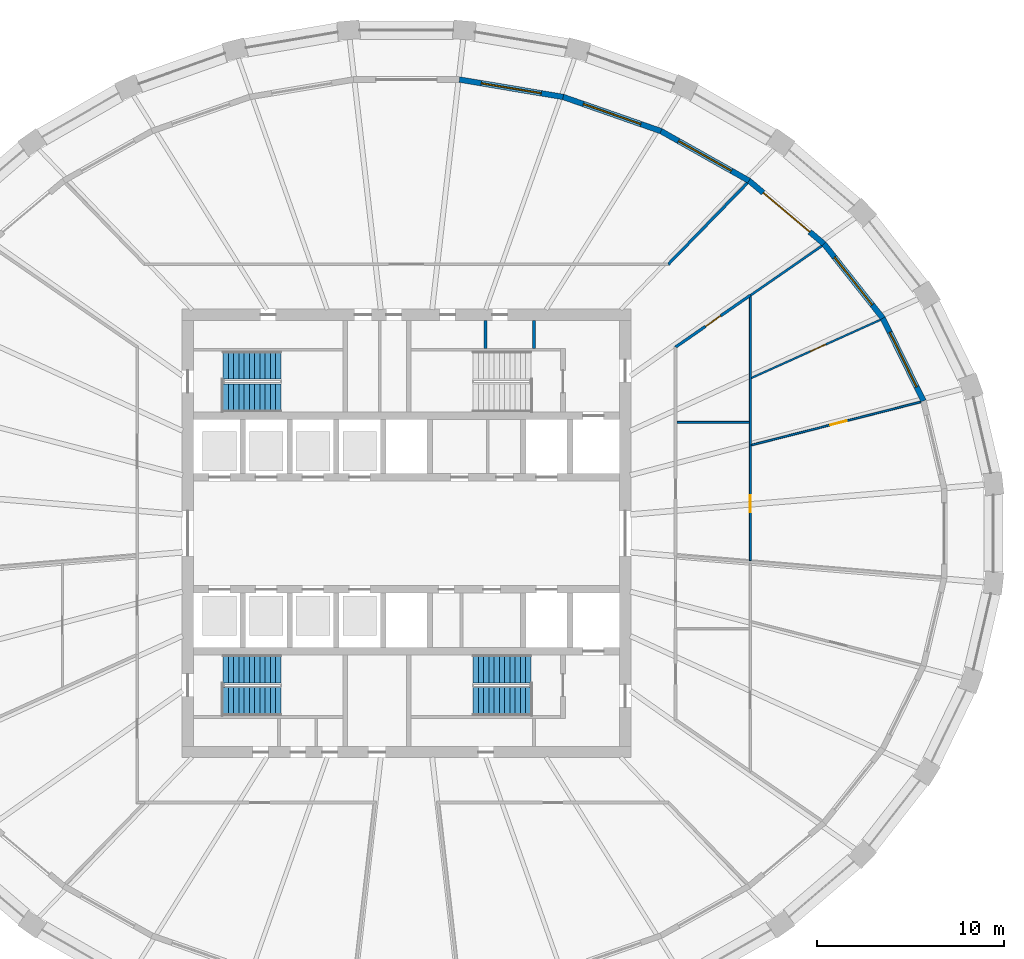
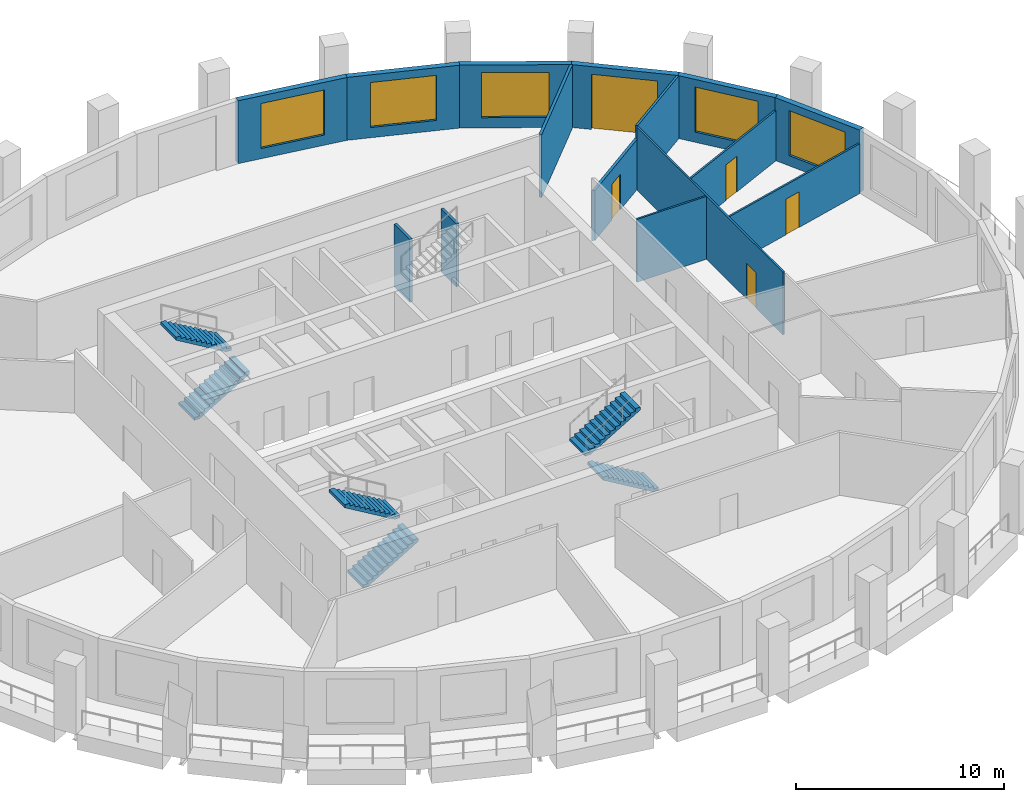
# One storey, part 7 of 11: 15 walls, 6 stair flights, 5 doors, 5 windows, 10 openings, 3 elements without a shape of their own.
"""IFC4 building model written with IfcOpenShell, lengths in metres."""

from ifc_helpers import new_model, si_unit, direction, frame, frame_2d, origin, place, context, subcontext, project, spatial, polyline, rectangle, outline, extrude, material, layer, layer_set, type_object, element, fill, aggregate, save


model = new_model("IFC4")

# Units and contexts
model_context = context("Model", 3, precision=1e-05, world=origin(), true_north=direction((0.0, 1.0)))
body_context = subcontext(model_context, "Body", "Model", "MODEL_VIEW")
ifc_project = project(units=[si_unit("LENGTHUNIT", "METRE"), si_unit("AREAUNIT", "SQUARE_METRE"), si_unit("VOLUMEUNIT", "CUBIC_METRE"), si_unit("PLANEANGLEUNIT", "RADIAN"), si_unit("MASSUNIT", "GRAM", prefix="KILO")], contexts=[model_context])

# Site, building, storey
site_placement = place(None, origin())
site = spatial("IfcSite", under=ifc_project, at=site_placement, CompositionType="ELEMENT")
building_placement = place(site_placement, origin())
building = spatial("IfcBuilding", under=site, at=building_placement, Name="Halqa Exchange Tower", CompositionType="ELEMENT")
storey_placement = place(building_placement, frame((0.0, 0.0, 226.89990234375)))
storey = spatial("IfcBuildingStorey", under=building, at=storey_placement, Name="L52", CompositionType="ELEMENT", Elevation=226.89990234375)

# Wall
ifc_material_1 = material(Name="Fire-rated gypsum board")
ifc_layer_1 = layer(ifc_material_1, 0.14990234375)
ifc_layer_set_1 = layer_set([ifc_layer_1], Name="Fire-rated gypsum board")
wall_type_1 = type_object("IfcWallType", Name="Fire partition EI 60 150", PredefinedType="PARTITIONING", material=ifc_layer_set_1)
wall_1_placement = place(storey_placement, frame((13.98779296875, 14.377197265625, 0.0), z_axis=(0.0, 0.0, 1.0), x_axis=(0.697616683155, 0.716471188105, 0.0)))
element("IfcWall", 1, at=wall_1_placement, inside=storey, type_object=wall_type_1, Name="L52-PWL-015", PredefinedType="PARTITIONING", context=body_context, shape_type="SweptSolid", body=[
    extrude(outline(polyline([(6.098876953125, -0.074951171875), (6.098876953125, -0.07275390625), (6.09375, -0.002197265625), (6.073486328125, 0.074951171875), (4.57080078125, 0.074951171875), (3.068359375, 0.074951171875), (1.56591796875, 0.074951171875), (0.0634765625, 0.074951171875), (0.03173828125, 0.0), (0.000244140625, -0.074951171875), (1.52490234375, -0.074951171875), (3.049560546875, -0.074951171875), (4.57421875, -0.074951171875), (6.098876953125, -0.074951171875)])), origin(), (0.0, 0.0, 1.0), 3.7001953125),
])

# Wall, opening, door
wall_2_placement = place(storey_placement, frame((14.36767578125, 9.947509765625, 0.0), z_axis=(0.0, 0.0, 1.0), x_axis=(0.822102584422, 0.56933938972, 0.0)))
wall_2 = element("IfcWall", 2, at=wall_2_placement, inside=storey, type_object=wall_type_1, Name="L52-PWL-021", PredefinedType="PARTITIONING", context=body_context, shape_type="SweptSolid", body=[
    extrude(outline(polyline([(4.90478515625, 0.074951171875), (3.27001953125, 0.074951171875), (1.635009765625, 0.074951171875), (0.000244140625, 0.074951171875), (0.07861328125, -0.074951171875), (1.6875, -0.074951171875), (3.296142578125, -0.074951171875), (4.90478515625, -0.074951171875), (4.90478515625, 0.074951171875)])), origin(), (0.0, 0.0, 1.0), 2.947021484375),
])
opening_1_placement = place(wall_2_placement, frame((1.971923828125, 0.0, 0.0)))
opening_1 = element("IfcOpeningElement", 3, at=opening_1_placement, cuts=wall_2, Name="Opening 16-09", PredefinedType="OPENING", context=body_context, shape_type="SweptSolid", body=[
    extrude(rectangle(XDim=1.0, YDim=2.10009765625, at=frame_2d((0.5, 1.050048828125))), frame((0.0, 0.0869140625, 0.0), z_axis=(0.0, -1.0, 0.0), x_axis=(1.0, 0.0, 0.0)), (0.0, 0.0, 1.0), 0.173828125),
])
ifc_material_2 = material(Name="Steel fire door leaf", Category="steel")
door_type_1 = type_object("IfcDoorType", Name="Fire door FD30S 1000 x 2100", OperationType="SINGLE_SWING_LEFT", PredefinedType="DOOR", material=ifc_material_2)
door_1_placement = place(opening_1_placement, frame((1.0, 0.0, 0.0), z_axis=(0.0, 0.0, 1.0), x_axis=(-1.0, 0.0, 0.0)))
door_1 = element("IfcDoor", 4, at=door_1_placement, inside=storey, type_object=door_type_1, Name="L52-IDR-009", OperationType="SINGLE_SWING_LEFT", OverallHeight=2.10009765625, OverallWidth=1.0, PredefinedType="DOOR", context=body_context, shape_type="SweptSolid", body=[
    extrude(rectangle(XDim=1.0, YDim=2.10009765625, at=frame_2d((0.5, 1.050048828125))), frame((0.0, 0.02490234375, 0.0), z_axis=(0.0, -1.0, 0.0), x_axis=(1.0, 0.0, 0.0)), (0.0, 0.0, 1.0), 0.050048828125),
])
fill(opening_1, door_1)

# Wall
ifc_material_3 = material(Name="Fire-rated glazing", Category="glass")
ifc_layer_2 = layer(ifc_material_3, 0.1201171875)
ifc_layer_set_2 = layer_set([ifc_layer_2], Name="Fire-rated glazing")
wall_type_2 = type_object("IfcWallType", Name="Glazed fire partition EI 60 120", PredefinedType="PARTITIONING", material=ifc_layer_set_2)
wall_3_placement = place(storey_placement, frame((18.40478515625, 12.7333984375, 0.0), z_axis=(0.0, 0.0, 1.0), x_axis=(0.821978662859, 0.569518285751, 0.0)))
element("IfcWall", 5, at=wall_3_placement, inside=storey, type_object=wall_type_2, Name="L52-PWL-031", PredefinedType="PARTITIONING", context=body_context, shape_type="SweptSolid", body=[
    extrude(outline(polyline([(4.65234375, -0.06005859375), (4.65234375, -0.0546875), (4.64892578125, 0.0), (4.632568359375, 0.06005859375), (3.08837890625, 0.06005859375), (1.544189453125, 0.06005859375), (0.0, 0.06005859375), (0.0, -0.051025390625), (0.01318359375, -0.06005859375), (1.5595703125, -0.06005859375), (3.10595703125, -0.06005859375), (4.65234375, -0.06005859375)])), origin(), (0.0, 0.0, 1.0), 3.7001953125),
])

# Wall, opening, door
ifc_material_4 = material(Name="Gypsum board")
ifc_layer_3 = layer(ifc_material_4, 0.10009765625)
ifc_layer_set_3 = layer_set([ifc_layer_3], Name="Gypsum board")
wall_type_3 = type_object("IfcWallType", Name="Partition 100 gypsum", PredefinedType="PARTITIONING", material=ifc_layer_set_3)
wall_4_placement = place(storey_placement, frame((18.39990234375, -1.45947265625, 0.0), z_axis=(0.0, 0.0, 1.0), x_axis=(0.0, 1.0, 0.0)))
wall_4 = element("IfcWall", 6, at=wall_4_placement, inside=storey, type_object=wall_type_3, Name="L52-PWL-027", PredefinedType="PARTITIONING", context=body_context, shape_type="SweptSolid", body=[
    extrude(outline(polyline([(0.0, -0.050048828125), (1.556640625, -0.050048828125), (3.11328125, -0.050048828125), (4.669921875, -0.050048828125), (6.2265625, -0.050048828125), (6.2333984375, -0.04833984375), (6.23388671875, -0.050048828125), (8.02734375, -0.050048828125), (9.821044921875, -0.050048828125), (9.825927734375, -0.0478515625), (9.826904296875, -0.050048828125), (11.26806640625, -0.050048828125), (12.70947265625, -0.050048828125), (14.15087890625, -0.050048828125), (14.15087890625, -0.049560546875), (14.14453125, -0.040283203125), (14.15087890625, -0.035888671875), (14.15087890625, -0.03369140625), (14.1376953125, -0.042724609375), (14.073486328125, 0.050048828125), (12.41748046875, 0.050048828125), (10.761474609375, 0.050048828125), (9.10546875, 0.050048828125), (7.449462890625, 0.050048828125), (7.449462890625, 0.0498046875), (7.349365234375, 0.0498046875), (7.349365234375, 0.050048828125), (5.51416015625, 0.050048828125), (3.6787109375, 0.050048828125), (1.843505859375, 0.050048828125), (0.008056640625, 0.050048828125), (0.0, -0.047607421875), (0.0, -0.050048828125)])), origin(), (0.0, 0.0, 1.0), 3.7001953125),
])
opening_2_placement = place(wall_4_placement, frame((2.599609375, 0.0, 0.0)))
opening_2 = element("IfcOpeningElement", 7, at=opening_2_placement, cuts=wall_4, Name="Opening 16-14", PredefinedType="OPENING", context=body_context, shape_type="SweptSolid", body=[
    extrude(rectangle(XDim=0.89990234375, YDim=2.10009765625, at=frame_2d((0.449951171875, 1.050048828125))), frame((0.0, 0.06201171875, 0.0), z_axis=(0.0, -1.0, 0.0), x_axis=(1.0, 0.0, 0.0)), (0.0, 0.0, 1.0), 0.1240234375),
])
ifc_material_5 = material(Name="Timber door leaf", Category="wood")
door_type_2 = type_object("IfcDoorType", Name="Door 900 x 2100", OperationType="SINGLE_SWING_LEFT", PredefinedType="DOOR", material=ifc_material_5)
door_2_placement = place(opening_2_placement, origin())
door_2 = element("IfcDoor", 8, at=door_2_placement, inside=storey, type_object=door_type_2, Name="L52-IDR-014", OperationType="SINGLE_SWING_RIGHT", OverallHeight=2.10009765625, OverallWidth=0.89990234375, PredefinedType="DOOR", context=body_context, shape_type="SweptSolid", body=[
    extrude(rectangle(XDim=0.89990234375, YDim=2.10009765625, at=frame_2d((0.449951171875, 1.050048828125))), frame((0.0, 0.02490234375, 0.0), z_axis=(0.0, -1.0, 0.0), x_axis=(1.0, 0.0, 0.0)), (0.0, 0.0, 1.0), 0.050048828125),
])
fill(opening_2, door_2)

wall_5_placement = place(storey_placement, frame((18.437744140625, 4.719482421875, 0.0), z_axis=(0.0, 0.0, 1.0), x_axis=(0.968975503795, 0.247156778269, 0.0)))
wall_5 = element("IfcWall", 9, at=wall_5_placement, inside=storey, type_object=wall_type_3, Name="L52-PWL-028", PredefinedType="PARTITIONING", context=body_context, shape_type="SweptSolid", body=[
    extrude(outline(polyline([(9.3671875, -0.050048828125), (9.3671875, 0.008056640625), (9.3583984375, 0.050048828125), (7.49169921875, 0.050048828125), (5.625244140625, 0.050048828125), (3.758544921875, 0.050048828125), (1.89208984375, 0.050048828125), (0.025390625, 0.050048828125), (0.0, -0.049560546875), (0.0, -0.050048828125), (1.87353515625, -0.050048828125), (3.746826171875, -0.050048828125), (5.620361328125, -0.050048828125), (7.49365234375, -0.050048828125), (9.3671875, -0.050048828125)])), origin(), (0.0, 0.0, 1.0), 2.93017578125),
])
opening_3_placement = place(wall_5_placement, frame((4.36669921875, 0.0, 0.0)))
opening_3 = element("IfcOpeningElement", 10, at=opening_3_placement, cuts=wall_5, Name="Opening 16-15", PredefinedType="OPENING", context=body_context, shape_type="SweptSolid", body=[
    extrude(rectangle(XDim=0.89990234375, YDim=2.10009765625, at=frame_2d((0.449951171875, 1.050048828125))), frame((0.0, 0.06201171875, 0.0), z_axis=(0.0, -1.0, 0.0), x_axis=(1.0, 0.0, 0.0)), (0.0, 0.0, 1.0), 0.1240234375),
])
door_3_placement = place(opening_3_placement, origin())
door_3 = element("IfcDoor", 11, at=door_3_placement, inside=storey, type_object=door_type_2, Name="L52-IDR-015", OperationType="SINGLE_SWING_RIGHT", OverallHeight=2.10009765625, OverallWidth=0.89990234375, PredefinedType="DOOR", context=body_context, shape_type="SweptSolid", body=[
    extrude(rectangle(XDim=0.89990234375, YDim=2.10009765625, at=frame_2d((0.449951171875, 1.050048828125))), frame((0.0, 0.02490234375, 0.0), z_axis=(0.0, -1.0, 0.0), x_axis=(1.0, 0.0, 0.0)), (0.0, 0.0, 1.0), 0.050048828125),
])
fill(opening_3, door_3)

# Wall
wall_6_placement = place(storey_placement, frame((18.35009765625, 5.93994140625, 0.0), z_axis=(0.0, 0.0, 1.0), x_axis=(-1.0, 0.0, 0.0)))
element("IfcWall", 12, at=wall_6_placement, inside=storey, type_object=wall_type_3, Name="L52-PWL-029", PredefinedType="PARTITIONING", context=body_context, shape_type="SweptSolid", body=[
    extrude(rectangle(XDim=3.875, YDim=0.10009765625, at=frame_2d((1.9375, 0.0))), origin(), (0.0, 0.0, 1.0), 3.7001953125),
])

# Wall, opening, door
wall_7_placement = place(storey_placement, frame((18.4296875, 8.303466796875, 0.0), z_axis=(0.0, 0.0, 1.0), x_axis=(0.911623805038, 0.411025592985, 0.0)))
wall_7 = element("IfcWall", 13, at=wall_7_placement, inside=storey, type_object=wall_type_3, Name="L52-PWL-030", PredefinedType="PARTITIONING", context=body_context, shape_type="SweptSolid", body=[
    extrude(outline(polyline([(7.601806640625, -0.050048828125), (7.601806640625, -0.045166015625), (7.600341796875, 0.001953125), (7.588134765625, 0.050048828125), (5.702392578125, 0.050048828125), (3.81640625, 0.050048828125), (1.9306640625, 0.050048828125), (0.044921875, 0.050048828125), (0.0, -0.04931640625), (0.0, -0.050048828125), (1.900390625, -0.050048828125), (3.80078125, -0.050048828125), (5.701416015625, -0.050048828125), (7.601806640625, -0.050048828125)])), origin(), (0.0, 0.0, 1.0), 2.947021484375),
])
opening_4_placement = place(wall_7_placement, frame((3.48291015625, 0.0, 0.0)))
opening_4 = element("IfcOpeningElement", 14, at=opening_4_placement, cuts=wall_7, Name="Opening 16-16", PredefinedType="OPENING", context=body_context, shape_type="SweptSolid", body=[
    extrude(rectangle(XDim=0.89990234375, YDim=2.10009765625, at=frame_2d((0.449951171875, 1.050048828125))), frame((0.0, 0.06201171875, 0.0), z_axis=(0.0, -1.0, 0.0), x_axis=(1.0, 0.0, 0.0)), (0.0, 0.0, 1.0), 0.1240234375),
])
door_4_placement = place(opening_4_placement, origin())
door_4 = element("IfcDoor", 15, at=door_4_placement, inside=storey, type_object=door_type_2, Name="L52-IDR-016", OperationType="SINGLE_SWING_RIGHT", OverallHeight=2.10009765625, OverallWidth=0.89990234375, PredefinedType="DOOR", context=body_context, shape_type="SweptSolid", body=[
    extrude(rectangle(XDim=0.89990234375, YDim=2.10009765625, at=frame_2d((0.449951171875, 1.050048828125))), frame((0.0, 0.02490234375, 0.0), z_axis=(0.0, -1.0, 0.0), x_axis=(1.0, 0.0, 0.0)), (0.0, 0.0, 1.0), 0.050048828125),
])
fill(opening_4, door_4)

# Walls
ifc_layer_4 = layer(ifc_material_4, 0.14990234375)
ifc_layer_set_4 = layer_set([ifc_layer_4], Name="Gypsum board")
wall_type_4 = type_object("IfcWallType", Name="Penthouse riser wall 150 gypsum", PredefinedType="PARTITIONING", material=ifc_layer_set_4)
for number, where, z_axis, x_axis, name in (
    (16, (4.22509765625, 9.89990234375, 0.0), (0.0, 0.0, 1.0), (0.0, 1.0, 0.0), "Partition E4.225 N"),
    (17, (6.824951171875, 9.89990234375, 0.0), (0.0, 0.0, 1.0), (0.0, 1.0, 0.0), "Firefighting lobby west wall N"),
):
    element("IfcWall", number, at=place(storey_placement, frame(where, z_axis=z_axis, x_axis=x_axis)), inside=storey, type_object=wall_type_4, Name=name, PredefinedType="PARTITIONING", context=body_context, shape_type="SweptSolid", body=[
        extrude(rectangle(XDim=1.5, YDim=0.14990234375, at=frame_2d((0.75, 0.0))), origin(), (0.0, 0.0, 1.0), 3.7001953125),
    ])

# Wall, opening, window
ifc_material_6 = material(Name="Limestone cladding", Category="masonry")
ifc_layer_5 = layer(ifc_material_6, 0.0400390625)
ifc_material_7 = material(Name="Ventilated cavity")
ifc_layer_6 = layer(ifc_material_7, 0.030029296875, ventilated=True)
ifc_material_8 = material(Name="Mineral wool insulation")
ifc_layer_7 = layer(ifc_material_8, 0.10009765625)
ifc_material_9 = material(Name="Concrete C30/37", Category="concrete")
ifc_layer_8 = layer(ifc_material_9, 0.10009765625)
ifc_material_10 = material(Name="Internal plaster")
ifc_layer_9 = layer(ifc_material_10, 0.030029296875)
ifc_layer_set_5 = layer_set([ifc_layer_5, ifc_layer_6, ifc_layer_7, ifc_layer_8, ifc_layer_9], Name="Stone-faced insulated wall 300")
wall_type_5 = type_object("IfcWallType", Name="Stone-faced insulated wall 300", PredefinedType="STANDARD", material=ifc_layer_set_5)
wall_8_placement = place(storey_placement, frame((27.656494140625, 7.0888671875, 0.0), z_axis=(0.0, 0.0, 1.0), x_axis=(-0.440857641837, 0.897577038272, 0.0)))
wall_8 = element("IfcWall", 18, at=wall_8_placement, inside=storey, type_object=wall_type_5, Name="Glass-line wall 2", PredefinedType="STANDARD", context=body_context, shape_type="SweptSolid", body=[
    extrude(outline(polyline([(-0.016845703125, -0.14990234375), (4.94140625, -0.14990234375), (4.9091796875, 0.14990234375), (0.016845703125, 0.14990234375), (-0.016845703125, -0.14990234375)])), origin(), (0.0, 0.0, 1.0), 3.7001953125),
])
opening_5_placement = place(wall_8_placement, frame((0.837646484375, 0.0, 0.60009765625)))
opening_5 = element("IfcOpeningElement", 19, at=opening_5_placement, cuts=wall_8, Name="Opening W-F3-02", PredefinedType="OPENING", context=body_context, shape_type="SweptSolid", body=[
    extrude(rectangle(XDim=3.25, YDim=2.64990234375, at=frame_2d((1.625, 1.324951171875))), frame((0.0, 0.162109375, 0.0), z_axis=(0.0, -1.0, 0.0), x_axis=(1.0, 0.0, 0.0)), (0.0, 0.0, 1.0), 0.323974609375),
])
ifc_material_11 = material(Name="Clear low-emissivity glass in aluminium frame", Category="aluminium")
window_type = type_object("IfcWindowType", Name="Fixed clear glazed window 3250 x 2650", PartitioningType="TRIPLE_PANEL_VERTICAL", PredefinedType="WINDOW", material=ifc_material_11)
window_1_placement = place(opening_5_placement, origin())
window_1 = element("IfcWindow", 20, at=window_1_placement, inside=storey, type_object=window_type, Name="Window 3", OverallHeight=2.64990234375, OverallWidth=3.25, PartitioningType="TRIPLE_PANEL_VERTICAL", PredefinedType="WINDOW", context=body_context, shape_type="SweptSolid", body=[
    extrude(rectangle(XDim=3.25, YDim=2.64990234375, at=frame_2d((1.625, 1.324951171875))), frame((0.0, 0.030029296875, 0.0), z_axis=(0.0, -1.0, 0.0), x_axis=(1.0, 0.0, 0.0)), (0.0, 0.0, 1.0), 0.06005859375),
])
fill(opening_5, window_1)

wall_9_placement = place(storey_placement, frame((25.485107421875, 11.509765625, 0.0), z_axis=(0.0, 0.0, 1.0), x_axis=(-0.621084984443, 0.783743224596, 0.0)))
wall_9 = element("IfcWall", 21, at=wall_9_placement, inside=storey, type_object=wall_type_5, Name="Glass-line wall 3", PredefinedType="STANDARD", context=body_context, shape_type="SweptSolid", body=[
    extrude(outline(polyline([(-0.01611328125, -0.14990234375), (5.08837890625, -0.14990234375), (5.05810546875, 0.14990234375), (0.01611328125, 0.14990234375), (-0.01611328125, -0.14990234375)])), origin(), (0.0, 0.0, 1.0), 3.7001953125),
])
opening_6_placement = place(wall_9_placement, frame((0.91162109375, 0.0, 0.60009765625)))
opening_6 = element("IfcOpeningElement", 22, at=opening_6_placement, cuts=wall_9, Name="Opening W-F3-03", PredefinedType="OPENING", context=body_context, shape_type="SweptSolid", body=[
    extrude(rectangle(XDim=3.25, YDim=2.64990234375, at=frame_2d((1.625, 1.324951171875))), frame((0.0, 0.162109375, 0.0), z_axis=(0.0, -1.0, 0.0), x_axis=(1.0, 0.0, 0.0)), (0.0, 0.0, 1.0), 0.323974609375),
])
window_2_placement = place(opening_6_placement, origin())
window_2 = element("IfcWindow", 23, at=window_2_placement, inside=storey, type_object=window_type, Name="Window 3", OverallHeight=2.64990234375, OverallWidth=3.25, PartitioningType="TRIPLE_PANEL_VERTICAL", PredefinedType="WINDOW", context=body_context, shape_type="SweptSolid", body=[
    extrude(rectangle(XDim=3.25, YDim=2.64990234375, at=frame_2d((1.625, 1.324951171875))), frame((0.0, 0.030029296875, 0.0), z_axis=(0.0, -1.0, 0.0), x_axis=(1.0, 0.0, 0.0)), (0.0, 0.0, 1.0), 0.06005859375),
])
fill(opening_6, window_2)

# Wall, opening, door
wall_10_placement = place(storey_placement, frame((22.334228515625, 15.48583984375, 0.0), z_axis=(0.0, 0.0, 1.0), x_axis=(-0.764475071601, 0.644653290459, 0.0)))
wall_10 = element("IfcWall", 24, at=wall_10_placement, inside=storey, type_object=wall_type_5, Name="Glass-line wall 4", PredefinedType="STANDARD", context=body_context, shape_type="SweptSolid", body=[
    extrude(outline(polyline([(-0.01513671875, -0.14990234375), (5.2568359375, -0.14990234375), (5.228515625, 0.14990234375), (0.01513671875, 0.14990234375), (-0.01513671875, -0.14990234375)])), origin(), (0.0, 0.0, 1.0), 3.7001953125),
])
opening_7_placement = place(wall_10_placement, frame((0.996337890625, 0.0, 0.0)))
opening_7 = element("IfcOpeningElement", 25, at=opening_7_placement, cuts=wall_10, Name="Opening LG-F3-01", PredefinedType="OPENING", context=body_context, shape_type="SweptSolid", body=[
    extrude(rectangle(XDim=3.25, YDim=3.25, at=frame_2d((1.625, 1.625))), frame((0.0, 0.162109375, 0.0), z_axis=(0.0, -1.0, 0.0), x_axis=(1.0, 0.0, 0.0)), (0.0, 0.0, 1.0), 0.323974609375),
])
door_type_3 = type_object("IfcDoorType", Name="Glazed sliding loggia door 3250 x 3250", OperationType="DOUBLE_DOOR_SLIDING", PredefinedType="DOOR", material=ifc_material_11)
door_5_placement = place(opening_7_placement, origin())
door_5 = element("IfcDoor", 26, at=door_5_placement, inside=storey, type_object=door_type_3, Name="Loggia door 1", OperationType="DOUBLE_DOOR_SLIDING", OverallHeight=3.25, OverallWidth=3.25, PredefinedType="DOOR", context=body_context, shape_type="SweptSolid", body=[
    extrude(rectangle(XDim=3.25, YDim=3.25, at=frame_2d((1.625, 1.625))), frame((0.0, 0.02490234375, 0.0), z_axis=(0.0, -1.0, 0.0), x_axis=(1.0, 0.0, 0.0)), (0.0, 0.0, 1.0), 0.050048828125),
])
fill(opening_7, door_5)

# Wall, opening, window
wall_11_placement = place(storey_placement, frame((18.326416015625, 18.865478515625, 0.0), z_axis=(0.0, 0.0, 1.0), x_axis=(-0.871225596594, 0.490882837181, 0.0)))
wall_11 = element("IfcWall", 27, at=wall_11_placement, inside=storey, type_object=wall_type_5, Name="Glass-line wall 5", PredefinedType="STANDARD", context=body_context, shape_type="SweptSolid", body=[
    extrude(outline(polyline([(-0.01416015625, -0.14990234375), (5.420166015625, -0.14990234375), (5.393310546875, 0.14990234375), (0.01416015625, 0.14990234375), (-0.01416015625, -0.14990234375)])), origin(), (0.0, 0.0, 1.0), 3.7001953125),
])
opening_8_placement = place(wall_11_placement, frame((1.078369140625, 0.0, 0.60009765625)))
opening_8 = element("IfcOpeningElement", 28, at=opening_8_placement, cuts=wall_11, Name="Opening W-F3-05", PredefinedType="OPENING", context=body_context, shape_type="SweptSolid", body=[
    extrude(rectangle(XDim=3.25, YDim=2.64990234375, at=frame_2d((1.625, 1.324951171875))), frame((0.0, 0.162109375, 0.0), z_axis=(0.0, -1.0, 0.0), x_axis=(1.0, 0.0, 0.0)), (0.0, 0.0, 1.0), 0.323974609375),
])
window_3_placement = place(opening_8_placement, origin())
window_3 = element("IfcWindow", 29, at=window_3_placement, inside=storey, type_object=window_type, Name="Window 3", OverallHeight=2.64990234375, OverallWidth=3.25, PartitioningType="TRIPLE_PANEL_VERTICAL", PredefinedType="WINDOW", context=body_context, shape_type="SweptSolid", body=[
    extrude(rectangle(XDim=3.25, YDim=2.64990234375, at=frame_2d((1.625, 1.324951171875))), frame((0.0, 0.030029296875, 0.0), z_axis=(0.0, -1.0, 0.0), x_axis=(1.0, 0.0, 0.0)), (0.0, 0.0, 1.0), 0.06005859375),
])
fill(opening_8, window_3)

wall_12_placement = place(storey_placement, frame((13.615966796875, 21.51953125, 0.0), z_axis=(0.0, 0.0, 1.0), x_axis=(-0.944075859918, 0.329728328659, 0.0)))
wall_12 = element("IfcWall", 30, at=wall_12_placement, inside=storey, type_object=wall_type_5, Name="Glass-line wall 6", PredefinedType="STANDARD", context=body_context, shape_type="SweptSolid", body=[
    extrude(outline(polyline([(-0.013427734375, -0.14990234375), (5.554931640625, -0.14990234375), (5.529541015625, 0.14990234375), (0.013427734375, 0.14990234375), (-0.013427734375, -0.14990234375)])), origin(), (0.0, 0.0, 1.0), 3.7001953125),
])
opening_9_placement = place(wall_12_placement, frame((1.14599609375, 0.0, 0.60009765625)))
opening_9 = element("IfcOpeningElement", 31, at=opening_9_placement, cuts=wall_12, Name="Opening W-F3-06", PredefinedType="OPENING", context=body_context, shape_type="SweptSolid", body=[
    extrude(rectangle(XDim=3.25, YDim=2.64990234375, at=frame_2d((1.625, 1.324951171875))), frame((0.0, 0.162109375, 0.0), z_axis=(0.0, -1.0, 0.0), x_axis=(1.0, 0.0, 0.0)), (0.0, 0.0, 1.0), 0.323974609375),
])
window_4_placement = place(opening_9_placement, origin())
window_4 = element("IfcWindow", 32, at=window_4_placement, inside=storey, type_object=window_type, Name="Window 3", OverallHeight=2.64990234375, OverallWidth=3.25, PartitioningType="TRIPLE_PANEL_VERTICAL", PredefinedType="WINDOW", context=body_context, shape_type="SweptSolid", body=[
    extrude(rectangle(XDim=3.25, YDim=2.64990234375, at=frame_2d((1.625, 1.324951171875))), frame((0.0, 0.030029296875, 0.0), z_axis=(0.0, -1.0, 0.0), x_axis=(1.0, 0.0, 0.0)), (0.0, 0.0, 1.0), 0.06005859375),
])
fill(opening_9, window_4)

wall_13_placement = place(storey_placement, frame((8.3837890625, 23.346923828125, 0.0), z_axis=(0.0, 0.0, 1.0), x_axis=(-0.986223472554, 0.165418445715, 0.0)))
wall_13 = element("IfcWall", 33, at=wall_13_placement, inside=storey, type_object=wall_type_5, Name="Glass-line wall 7", PredefinedType="STANDARD", context=body_context, shape_type="SweptSolid", body=[
    extrude(outline(polyline([(-0.0126953125, -0.14990234375), (5.64306640625, -0.14990234375), (5.6181640625, 0.14990234375), (0.0126953125, 0.14990234375), (-0.0126953125, -0.14990234375)])), origin(), (0.0, 0.0, 1.0), 3.7001953125),
])
opening_10_placement = place(wall_13_placement, frame((1.190185546875, 0.0, 0.60009765625)))
opening_10 = element("IfcOpeningElement", 34, at=opening_10_placement, cuts=wall_13, Name="Opening W-F3-07", PredefinedType="OPENING", context=body_context, shape_type="SweptSolid", body=[
    extrude(rectangle(XDim=3.25, YDim=2.64990234375, at=frame_2d((1.625, 1.324951171875))), frame((0.0, 0.162109375, 0.0), z_axis=(0.0, -1.0, 0.0), x_axis=(1.0, 0.0, 0.0)), (0.0, 0.0, 1.0), 0.323974609375),
])
window_5_placement = place(opening_10_placement, origin())
window_5 = element("IfcWindow", 35, at=window_5_placement, inside=storey, type_object=window_type, Name="Window 3", OverallHeight=2.64990234375, OverallWidth=3.25, PartitioningType="TRIPLE_PANEL_VERTICAL", PredefinedType="WINDOW", context=body_context, shape_type="SweptSolid", body=[
    extrude(rectangle(XDim=3.25, YDim=2.64990234375, at=frame_2d((1.625, 1.324951171875))), frame((0.0, 0.030029296875, 0.0), z_axis=(0.0, -1.0, 0.0), x_axis=(1.0, 0.0, 0.0)), (0.0, 0.0, 1.0), 0.06005859375),
])
fill(opening_10, window_5)

# Stair, stair flights
stair_type = type_object("IfcStairType", Name="Exit stair 1500 wide", PredefinedType="HALF_TURN_STAIR", material=ifc_material_9)
stair_1_placement = place(storey_placement, origin())
stair_1 = element("IfcStair", 36, at=stair_1_placement, inside=storey, type_object=stair_type, Name="Exit stair ST1", PredefinedType="HALF_TURN_STAIR")
stair_flight_type = type_object("IfcStairFlightType", Name="Stair flight 1500 wide", PredefinedType="STRAIGHT", material=ifc_material_9)
stair_flight_1_placement = place(storey_placement, frame((-9.800048828125, 7.25, 0.0), z_axis=(0.0, 0.0, 1.0), x_axis=(1.0, 0.0, 0.0)))
stair_flight_1 = element("IfcStairFlight", 37, at=stair_flight_1_placement, type_object=stair_flight_type, Name="ST1 flight 1", NumberOfRisers=12, NumberOfTreads=11, PredefinedType="STRAIGHT", RiserHeight=0.166666667, TreadLength=0.28, context=body_context, shape_type="SweptSolid", body=[
    extrude(outline(polyline([(0.0, 0.0), (0.0, 0.166748046875), (0.280029296875, 0.166748046875), (0.280029296875, 0.333251953125), (0.56005859375, 0.333251953125), (0.56005859375, 0.5), (0.840087890625, 0.5), (0.840087890625, 0.666748046875), (1.1201171875, 0.666748046875), (1.1201171875, 0.833251953125), (1.39990234375, 0.833251953125), (1.39990234375, 1.0), (1.679931640625, 1.0), (1.679931640625, 1.166748046875), (1.9599609375, 1.166748046875), (1.9599609375, 1.333251953125), (2.239990234375, 1.333251953125), (2.239990234375, 1.5), (2.52001953125, 1.5), (2.52001953125, 1.666748046875), (2.800048828125, 1.666748046875), (2.800048828125, 1.833251953125), (3.080078125, 1.833251953125), (3.080078125, 2.0), (3.080078125, 1.658935546875), (0.29296875, 0.0), (0.0, 0.0)])), frame((0.0, 0.75, 0.0), z_axis=(0.0, -1.0, 0.0), x_axis=(1.0, 0.0, 0.0)), (0.0, 0.0, 1.0), 1.5),
])
stair_flight_2_placement = place(storey_placement, frame((-6.719970703125, 9.0, 2.0), z_axis=(0.0, 0.0, 1.0), x_axis=(-1.0, 0.0, 0.0)))
stair_flight_2 = element("IfcStairFlight", 38, at=stair_flight_2_placement, type_object=stair_flight_type, Name="ST1 flight 2", NumberOfRisers=12, NumberOfTreads=11, PredefinedType="STRAIGHT", RiserHeight=0.166666667, TreadLength=0.28, context=body_context, shape_type="SweptSolid", body=[
    extrude(outline(polyline([(0.0, 0.0), (0.0, 0.166748046875), (0.280029296875, 0.166748046875), (0.280029296875, 0.333251953125), (0.56005859375, 0.333251953125), (0.56005859375, 0.5), (0.840087890625, 0.5), (0.840087890625, 0.666748046875), (1.1201171875, 0.666748046875), (1.1201171875, 0.833251953125), (1.39990234375, 0.833251953125), (1.39990234375, 1.0), (1.679931640625, 1.0), (1.679931640625, 1.166748046875), (1.9599609375, 1.166748046875), (1.9599609375, 1.333251953125), (2.239990234375, 1.333251953125), (2.239990234375, 1.5), (2.52001953125, 1.5), (2.52001953125, 1.666748046875), (2.800048828125, 1.666748046875), (2.800048828125, 1.833251953125), (3.080078125, 1.833251953125), (3.080078125, 2.0), (3.080078125, 1.658935546875), (0.29296875, 0.0), (0.0, 0.0)])), frame((0.0, 0.75, 0.0), z_axis=(0.0, -1.0, 0.0), x_axis=(1.0, 0.0, 0.0)), (0.0, 0.0, 1.0), 1.5),
])
aggregate(stair_1, [stair_flight_1, stair_flight_2])

stair_2_placement = place(storey_placement, origin())
stair_2 = element("IfcStair", 39, at=stair_2_placement, inside=storey, type_object=stair_type, Name="Exit stair ST3", PredefinedType="HALF_TURN_STAIR")
stair_flight_3_placement = place(storey_placement, frame((-9.800048828125, -9.0, 0.0), z_axis=(0.0, 0.0, 1.0), x_axis=(1.0, 0.0, 0.0)))
stair_flight_3 = element("IfcStairFlight", 40, at=stair_flight_3_placement, type_object=stair_flight_type, Name="ST3 flight 1", NumberOfRisers=12, NumberOfTreads=11, PredefinedType="STRAIGHT", RiserHeight=0.166666667, TreadLength=0.28, context=body_context, shape_type="SweptSolid", body=[
    extrude(outline(polyline([(0.0, 0.0), (0.0, 0.166748046875), (0.280029296875, 0.166748046875), (0.280029296875, 0.333251953125), (0.56005859375, 0.333251953125), (0.56005859375, 0.5), (0.840087890625, 0.5), (0.840087890625, 0.666748046875), (1.1201171875, 0.666748046875), (1.1201171875, 0.833251953125), (1.39990234375, 0.833251953125), (1.39990234375, 1.0), (1.679931640625, 1.0), (1.679931640625, 1.166748046875), (1.9599609375, 1.166748046875), (1.9599609375, 1.333251953125), (2.239990234375, 1.333251953125), (2.239990234375, 1.5), (2.52001953125, 1.5), (2.52001953125, 1.666748046875), (2.800048828125, 1.666748046875), (2.800048828125, 1.833251953125), (3.080078125, 1.833251953125), (3.080078125, 2.0), (3.080078125, 1.658935546875), (0.29296875, 0.0), (0.0, 0.0)])), frame((0.0, 0.75, 0.0), z_axis=(0.0, -1.0, 0.0), x_axis=(1.0, 0.0, 0.0)), (0.0, 0.0, 1.0), 1.5),
])
stair_flight_4_placement = place(storey_placement, frame((-6.719970703125, -7.25, 2.0), z_axis=(0.0, 0.0, 1.0), x_axis=(-1.0, 0.0, 0.0)))
stair_flight_4 = element("IfcStairFlight", 41, at=stair_flight_4_placement, type_object=stair_flight_type, Name="ST3 flight 2", NumberOfRisers=12, NumberOfTreads=11, PredefinedType="STRAIGHT", RiserHeight=0.166666667, TreadLength=0.28, context=body_context, shape_type="SweptSolid", body=[
    extrude(outline(polyline([(0.0, 0.0), (0.0, 0.166748046875), (0.280029296875, 0.166748046875), (0.280029296875, 0.333251953125), (0.56005859375, 0.333251953125), (0.56005859375, 0.5), (0.840087890625, 0.5), (0.840087890625, 0.666748046875), (1.1201171875, 0.666748046875), (1.1201171875, 0.833251953125), (1.39990234375, 0.833251953125), (1.39990234375, 1.0), (1.679931640625, 1.0), (1.679931640625, 1.166748046875), (1.9599609375, 1.166748046875), (1.9599609375, 1.333251953125), (2.239990234375, 1.333251953125), (2.239990234375, 1.5), (2.52001953125, 1.5), (2.52001953125, 1.666748046875), (2.800048828125, 1.666748046875), (2.800048828125, 1.833251953125), (3.080078125, 1.833251953125), (3.080078125, 2.0), (3.080078125, 1.658935546875), (0.29296875, 0.0), (0.0, 0.0)])), frame((0.0, 0.75, 0.0), z_axis=(0.0, -1.0, 0.0), x_axis=(1.0, 0.0, 0.0)), (0.0, 0.0, 1.0), 1.5),
])
aggregate(stair_2, [stair_flight_3, stair_flight_4])

stair_3_placement = place(storey_placement, origin())
stair_3 = element("IfcStair", 42, at=stair_3_placement, inside=storey, type_object=stair_type, Name="Exit stair ST4", PredefinedType="HALF_TURN_STAIR")
stair_flight_5_placement = place(storey_placement, frame((6.64990234375, -9.0, 0.0), z_axis=(0.0, 0.0, 1.0), x_axis=(-1.0, 0.0, 0.0)))
stair_flight_5 = element("IfcStairFlight", 43, at=stair_flight_5_placement, type_object=stair_flight_type, Name="ST4 flight 1", NumberOfRisers=12, NumberOfTreads=11, PredefinedType="STRAIGHT", RiserHeight=0.166666667, TreadLength=0.28, context=body_context, shape_type="SweptSolid", body=[
    extrude(outline(polyline([(0.0, 0.0), (0.0, 0.166748046875), (0.280029296875, 0.166748046875), (0.280029296875, 0.333251953125), (0.56005859375, 0.333251953125), (0.56005859375, 0.5), (0.840087890625, 0.5), (0.840087890625, 0.666748046875), (1.1201171875, 0.666748046875), (1.1201171875, 0.833251953125), (1.39990234375, 0.833251953125), (1.39990234375, 1.0), (1.679931640625, 1.0), (1.679931640625, 1.166748046875), (1.9599609375, 1.166748046875), (1.9599609375, 1.333251953125), (2.239990234375, 1.333251953125), (2.239990234375, 1.5), (2.52001953125, 1.5), (2.52001953125, 1.666748046875), (2.800048828125, 1.666748046875), (2.800048828125, 1.833251953125), (3.080078125, 1.833251953125), (3.080078125, 2.0), (3.080078125, 1.658935546875), (0.29296875, 0.0), (0.0, 0.0)])), frame((0.0, 0.75, 0.0), z_axis=(0.0, -1.0, 0.0), x_axis=(1.0, 0.0, 0.0)), (0.0, 0.0, 1.0), 1.5),
])
stair_flight_6_placement = place(storey_placement, frame((3.570068359375, -7.25, 2.0), z_axis=(0.0, 0.0, 1.0), x_axis=(1.0, 0.0, 0.0)))
stair_flight_6 = element("IfcStairFlight", 44, at=stair_flight_6_placement, type_object=stair_flight_type, Name="ST4 flight 2", NumberOfRisers=12, NumberOfTreads=11, PredefinedType="STRAIGHT", RiserHeight=0.166666667, TreadLength=0.28, context=body_context, shape_type="SweptSolid", body=[
    extrude(outline(polyline([(0.0, 0.0), (0.0, 0.166748046875), (0.280029296875, 0.166748046875), (0.280029296875, 0.333251953125), (0.56005859375, 0.333251953125), (0.56005859375, 0.5), (0.840087890625, 0.5), (0.840087890625, 0.666748046875), (1.1201171875, 0.666748046875), (1.1201171875, 0.833251953125), (1.39990234375, 0.833251953125), (1.39990234375, 1.0), (1.679931640625, 1.0), (1.679931640625, 1.166748046875), (1.9599609375, 1.166748046875), (1.9599609375, 1.333251953125), (2.239990234375, 1.333251953125), (2.239990234375, 1.5), (2.52001953125, 1.5), (2.52001953125, 1.666748046875), (2.800048828125, 1.666748046875), (2.800048828125, 1.833251953125), (3.080078125, 1.833251953125), (3.080078125, 2.0), (3.080078125, 1.658935546875), (0.29296875, 0.0), (0.0, 0.0)])), frame((0.0, 0.75, 0.0), z_axis=(0.0, -1.0, 0.0), x_axis=(1.0, 0.0, 0.0)), (0.0, 0.0, 1.0), 1.5),
])
aggregate(stair_3, [stair_flight_5, stair_flight_6])

save(model, "model.ifc")
